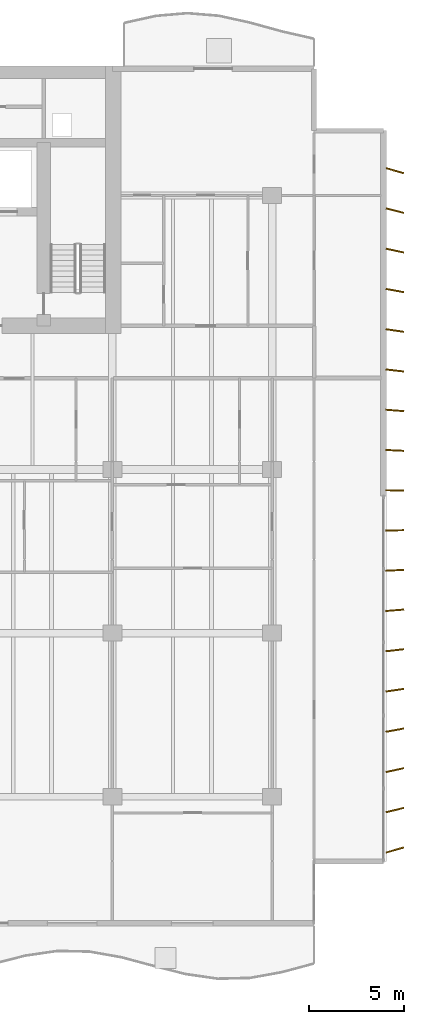
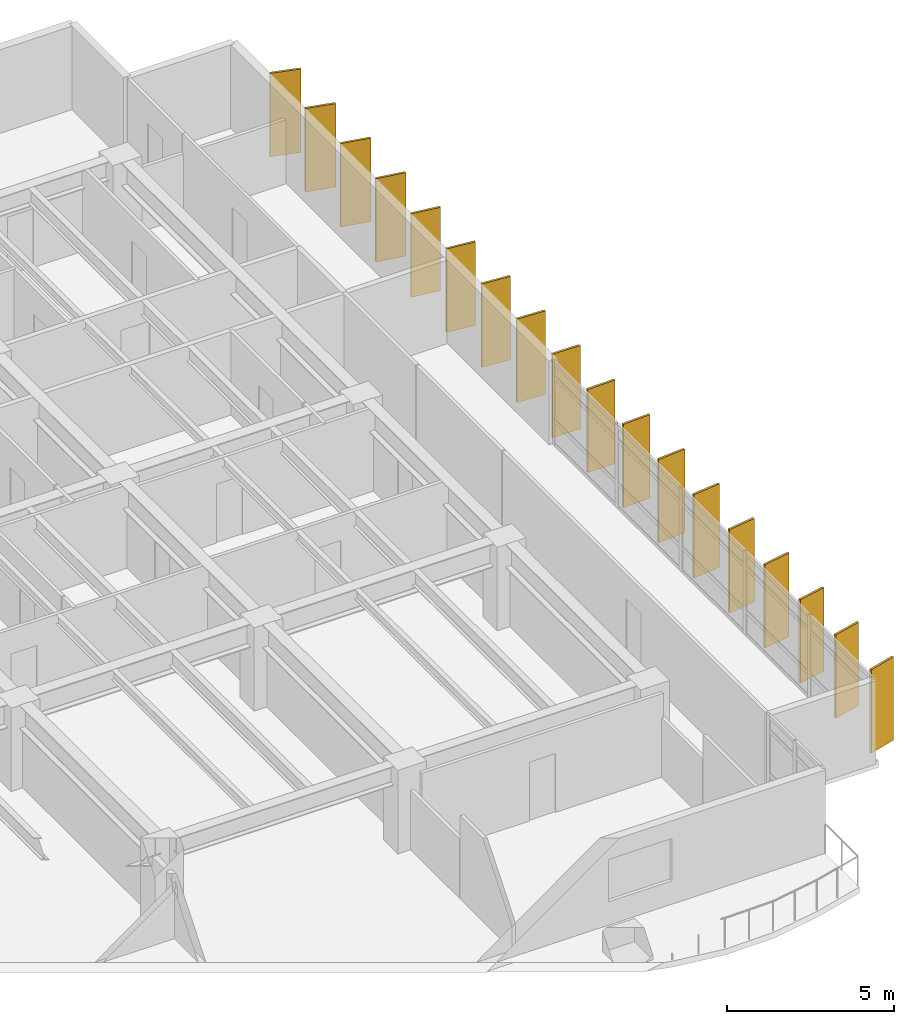
# One storey, part 16 of 16: 18 shading devices.
"""IFC4 building model written with IfcOpenShell, lengths in metres."""

import ifcopenshell
import ifcopenshell.guid

model = None  # the IFC model being written
_history = None  # IfcOwnerHistory: only IFC2X3 demands one
_inside = {}  # id of a spatial element -> (the spatial element, [elements in it])
_under = {}  # id of a project, library or spatial element -> (it, [spatial elements below it])
_declared = {}  # id of a project -> (the project, [libraries it declares])
_typed = {}  # id of a type object -> (the type object, [elements of that type])
_made_of = {}  # id of a material, layer set ... -> (it, [elements and type objects made of it])


def new_model(schema):
    """Start an empty IFC model of exactly this schema.

    Asked for "IFC4X3", IfcOpenShell would pick the latest addendum, in which some entities
    have other attributes; the version numbers below select the first issue.
    IFC2X3 requires an IfcOwnerHistory on every rooted entity: one is made here for all.
    """
    global model, _history
    if schema == "IFC4X3":
        model = ifcopenshell.file(schema_version=(4, 3, 0, 0))
    else:
        model = ifcopenshell.file(schema=schema)
    _inside.clear()
    _under.clear()
    _declared.clear()
    _typed.clear()
    _made_of.clear()
    _history = None
    if model.schema == "IFC2X3":
        org = make("IfcOrganization", Name="unknown")
        user = make(
            "IfcPersonAndOrganization",
            ThePerson=make("IfcPerson", FamilyName="unknown"),
            TheOrganization=org,
        )
        app = make(
            "IfcApplication",
            ApplicationDeveloper=org,
            Version="unknown",
            ApplicationFullName="unknown",
            ApplicationIdentifier="unknown",
        )
        _history = make(
            "IfcOwnerHistory",
            OwningUser=user,
            OwningApplication=app,
            ChangeAction="ADDED",
            CreationDate=0,
        )
    return model


def make(cls, **values):
    """One entity of the class cls with the attributes given. An attribute that is None is left unset."""
    return model.create_entity(
        cls, **{name: value for name, value in values.items() if value is not None}
    )


def rooted(cls, **values):
    """An entity with a GlobalId (a new one), such as an element, a storey or a relation."""
    return make(cls, GlobalId=ifcopenshell.guid.new(), OwnerHistory=_history, **values)


def si_unit(unit_type, name, prefix=None):
    """IfcSIUnit, for example si_unit("LENGTHUNIT", "METRE", prefix="MILLI")."""
    return make("IfcSIUnit", UnitType=unit_type, Prefix=prefix, Name=name)


def assignment(units):
    """IfcUnitAssignment: the units of a project."""
    return None if units is None else make("IfcUnitAssignment", Units=units)


def point(xyz):
    """IfcCartesianPoint."""
    return None if xyz is None else make("IfcCartesianPoint", Coordinates=xyz)


def direction(xyz):
    """IfcDirection."""
    return None if xyz is None else make("IfcDirection", DirectionRatios=xyz)


def frame(location, z_axis=None, x_axis=None):
    """IfcAxis2Placement3D, a coordinate frame: its origin and axes. An axis left out is left unset."""
    return make(
        "IfcAxis2Placement3D",
        Location=point(location),
        Axis=direction(z_axis),
        RefDirection=direction(x_axis),
    )


def frame_2d(location, x_axis=None):
    """IfcAxis2Placement2D, a coordinate frame in the plane: its origin and x axis."""
    return make(
        "IfcAxis2Placement2D", Location=point(location), RefDirection=direction(x_axis)
    )


def origin():
    """The frame at (0, 0, 0) with its axes left unset."""
    return frame((0.0, 0.0, 0.0))


def origin_2d():
    """The frame at (0, 0) in the plane with its x axis left unset."""
    return frame_2d((0.0, 0.0))


def place(relative_to, where):
    """IfcLocalPlacement: puts the frame where relative to a parent placement (None: the world)."""
    return make(
        "IfcLocalPlacement", PlacementRelTo=relative_to, RelativePlacement=where
    )


def context(
    kind, dimensions, precision=None, world=None, true_north=None, identifier=None
):
    """IfcGeometricRepresentationContext, for example the 3D "Model" context."""
    return make(
        "IfcGeometricRepresentationContext",
        ContextIdentifier=identifier,
        ContextType=kind,
        CoordinateSpaceDimension=dimensions,
        Precision=precision,
        WorldCoordinateSystem=world,
        TrueNorth=true_north,
    )


def subcontext(parent, identifier, kind, view, scale=None):
    """IfcGeometricRepresentationSubContext, for example "Body" below "Model"."""
    return make(
        "IfcGeometricRepresentationSubContext",
        ContextIdentifier=identifier,
        ContextType=kind,
        ParentContext=parent,
        TargetScale=scale,
        TargetView=view,
    )


def project(units=None, contexts=None):
    """IfcProject with its units and contexts."""
    return rooted(
        "IfcProject",
        Name="project",
        RepresentationContexts=contexts,
        UnitsInContext=assignment(units),
    )


def spatial(cls, under=None, at=None, **own):
    """A site, building, storey or space (cls), placed at a placement, below another one or the project."""
    s = rooted(cls, ObjectPlacement=at, **own)
    if under is not None:
        _under.setdefault(under.id(), (under, []))[1].append(s)
    return s


def profile(cls, at=None, kind="AREA", **sizes):
    """A parametric profile (cls). Its sizes go by their IFC names, for example OverallWidth=200.0."""
    return make(cls, ProfileType=kind, Position=at, **sizes)


def rectangle(**sizes):
    """IfcRectangleProfileDef."""
    return profile("IfcRectangleProfileDef", **sizes)


def extrude(swept, where, along, depth):
    """IfcExtrudedAreaSolid: the profile swept, set in the frame where, extruded along a direction by depth."""
    return make(
        "IfcExtrudedAreaSolid",
        SweptArea=swept,
        Position=where,
        ExtrudedDirection=direction(along),
        Depth=depth,
    )


def shape(context_of_items, identifier, shape_type, items):
    """IfcShapeRepresentation: the items that make up one representation, for example the "Body"."""
    return make(
        "IfcShapeRepresentation",
        ContextOfItems=context_of_items,
        RepresentationIdentifier=identifier,
        RepresentationType=shape_type,
        Items=items,
    )


def material(Name=None, Category=None):
    """IfcMaterial."""
    return make("IfcMaterial", Name=Name, Category=Category)


def material_profile(
    of_material, cross_section, Name=None, Category=None, Priority=None
):
    """IfcMaterialProfile: a cross section and its material."""
    return make(
        "IfcMaterialProfile",
        Name=Name,
        Material=of_material,
        Profile=cross_section,
        Priority=Priority,
        Category=Category,
    )


def profile_set(profiles, Name=None, composite=None):
    """IfcMaterialProfileSet."""
    return make(
        "IfcMaterialProfileSet",
        Name=Name,
        MaterialProfiles=profiles,
        CompositeProfile=composite,
    )


def made_of(thing, what):
    """Note that an element or type object is made of a material, layer set ...; save() writes the relation."""
    if what is not None:
        _made_of.setdefault(what.id(), (what, []))[1].append(thing)
    return thing


def type_object(cls, material=None, **own):
    """A type object (cls), such as IfcWallType, which elements share."""
    return made_of(rooted(cls, **own), material)


def element(
    cls,
    number,
    at=None,
    inside=None,
    cuts=None,
    type_object=None,
    material=None,
    context=None,
    identifier="Body",
    shape_type=None,
    held_by="IfcProductDefinitionShape",
    body=None,
    shapes=None,
    **own,
):
    """One element of the class cls, such as IfcWall. Its Tag is "e" and its number.

    at: its placement. inside: the storey or other place that contains it. cuts: it is an
    opening in that element (IfcRelVoidsElement). A single representation is given by context,
    identifier, shape_type and body (its items); several are given by shapes. held_by: the class
    of the entity that holds the representations. save() writes the other relations.
    """
    e = rooted(cls, Tag="e%d" % number, ObjectPlacement=at, **own)
    if body is not None:
        shapes = [shape(context, identifier, shape_type, body)]
    if shapes is not None:
        e.Representation = make(held_by, Representations=shapes)
    if inside is not None:
        _inside.setdefault(inside.id(), (inside, []))[1].append(e)
    if cuts is not None:
        rooted(
            "IfcRelVoidsElement", RelatingBuildingElement=cuts, RelatedOpeningElement=e
        )
    if type_object is not None:
        _typed.setdefault(type_object.id(), (type_object, []))[1].append(e)
    return made_of(e, material)


def aggregate(whole, parts):
    """IfcRelAggregates: a whole, such as a stair, and the parts it consists of."""
    return rooted("IfcRelAggregates", RelatingObject=whole, RelatedObjects=parts)


def save(model, path):
    """Write the relations noted so far, then the file.

    IfcRelAggregates (storeys below a building ...), IfcRelContainedInSpatialStructure (elements
    in a storey), IfcRelDefinesByType, IfcRelAssociatesMaterial and IfcRelDeclares: one each for
    every whole, place, type object, material and project.
    """
    for whole, parts in _under.values():
        aggregate(whole, parts)
    for where, things in _inside.values():
        rooted(
            "IfcRelContainedInSpatialStructure",
            RelatedElements=things,
            RelatingStructure=where,
        )
    for kind, things in _typed.values():
        rooted("IfcRelDefinesByType", RelatedObjects=things, RelatingType=kind)
    for what, things in _made_of.values():
        rooted("IfcRelAssociatesMaterial", RelatedObjects=things, RelatingMaterial=what)
    for by, libraries in _declared.values():
        rooted("IfcRelDeclares", RelatingContext=by, RelatedDefinitions=libraries)
    model.write(path)


model = new_model("IFC4")

# Units and contexts
model_context = context("Model", 3, precision=1e-05, world=origin(), true_north=direction((0.0, 1.0)))
body_context = subcontext(model_context, "Body", "Model", "MODEL_VIEW")
ifc_project = project(units=[si_unit("LENGTHUNIT", "METRE"), si_unit("AREAUNIT", "SQUARE_METRE"), si_unit("VOLUMEUNIT", "CUBIC_METRE"), si_unit("PLANEANGLEUNIT", "RADIAN"), si_unit("MASSUNIT", "GRAM", prefix="KILO")], contexts=[model_context])

# Site, building, storey
site_placement = place(None, origin())
site = spatial("IfcSite", under=ifc_project, at=site_placement, CompositionType="ELEMENT")
building_placement = place(site_placement, origin())
building = spatial("IfcBuilding", under=site, at=building_placement, Name="Caelmar Bay Residences", CompositionType="ELEMENT")
storey_placement = place(building_placement, frame((0.0, 0.0, 142.199951171875)))
storey = spatial("IfcBuildingStorey", under=building, at=storey_placement, Name="L39", CompositionType="ELEMENT", Elevation=142.199951171875)

# Shading devices
ifc_material = material(Name="Anodised architectural bronze aluminium 6063-T6", Category="aluminium")
ifc_material_profile = material_profile(ifc_material, rectangle(XDim=0.074951171875, YDim=0.949951171875, at=origin_2d()), Name="BRONZE-FIN-75X950")
ifc_profile_set = profile_set([ifc_material_profile], Name="Anodised architectural bronze aluminium 6063-T6")
shading_device_type = type_object("IfcShadingDeviceType", Name="SHD-FIN-950", PredefinedType="USERDEFINED", material=ifc_profile_set)
for number, where, z_axis, x_axis, name in (
    (1, (74.35009765625, 9.39990234375, 0.0), (0.0, 0.0, 1.0), (-0.275637355817, 0.961261695938, 0.0), "L39 East Bronze Solar Fin 1"),
    (2, (74.35009765625, 11.5, 0.0), (0.0, 0.0, 1.0), (-0.243953546137, 0.969786918517, 0.0), "L39 East Bronze Solar Fin 2"),
    (3, (74.35009765625, 13.60009765625, 0.0), (0.0, 0.0, 1.0), (-0.212007109922, 0.977268123568, 0.0), "L39 East Bronze Solar Fin 3"),
    (4, (74.35009765625, 15.699951171875, 0.0), (0.0, 0.0, 1.0), (-0.179660748593, 0.98372862895, 0.0), "L39 East Bronze Solar Fin 4"),
    (5, (74.35009765625, 17.800048828125, 0.0), (0.0, 0.0, 1.0), (-0.147291543397, 0.989093120613, 0.0), "L39 East Bronze Solar Fin 5"),
    (6, (74.35009765625, 19.89990234375, 0.0), (0.0, 0.0, 1.0), (-0.114763772489, 0.993392810787, 0.0), "L39 East Bronze Solar Fin 6"),
    (7, (74.35009765625, 22.0, 0.0), (0.0, 0.0, 1.0), (-0.08211245342, 0.996623070671, 0.0), "L39 East Bronze Solar Fin 7"),
    (8, (74.35009765625, 24.10009765625, 0.0), (0.0, 0.0, 1.0), (-0.049198415926, 0.998789024705, 0.0), "L39 East Bronze Solar Fin 8"),
    (9, (74.35009765625, 26.199951171875, 0.0), (0.0, 0.0, 1.0), (-0.016405359001, 0.999865423043, 0.0), "L39 East Bronze Solar Fin 9"),
    (10, (74.35009765625, 28.300048828125, 0.0), (0.0, 0.0, 1.0), (0.016405359001, 0.999865423043, 0.0), "L39 East Bronze Solar Fin 10"),
    (11, (74.35009765625, 30.39990234375, 0.0), (0.0, 0.0, 1.0), (0.049198415926, 0.998789024705, 0.0), "L39 East Bronze Solar Fin 11"),
    (12, (74.35009765625, 32.5, 0.0), (0.0, 0.0, 1.0), (0.08211245342, 0.996623070671, 0.0), "L39 East Bronze Solar Fin 12"),
    (13, (74.35009765625, 34.60009765625, 0.0), (0.0, 0.0, 1.0), (0.114763772489, 0.993392810787, 0.0), "L39 East Bronze Solar Fin 13"),
    (14, (74.35009765625, 36.699951171875, 0.0), (0.0, 0.0, 1.0), (0.147291543397, 0.989093120613, 0.0), "L39 East Bronze Solar Fin 14"),
    (15, (74.35009765625, 38.800048828125, 0.0), (0.0, 0.0, 1.0), (0.179660748593, 0.98372862895, 0.0), "L39 East Bronze Solar Fin 15"),
    (16, (74.35009765625, 40.89990234375, 0.0), (0.0, 0.0, 1.0), (0.212007109922, 0.977268123568, 0.0), "L39 East Bronze Solar Fin 16"),
    (17, (74.35009765625, 43.0, 0.0), (0.0, 0.0, 1.0), (0.243953546137, 0.969786918517, 0.0), "L39 East Bronze Solar Fin 17"),
    (18, (74.35009765625, 45.10009765625, 0.0), (0.0, 0.0, 1.0), (0.275637355817, 0.961261695938, 0.0), "L39 East Bronze Solar Fin 18"),
):
    element("IfcShadingDevice", number, at=place(storey_placement, frame(where, z_axis=z_axis, x_axis=x_axis)), inside=storey, type_object=shading_device_type, Name=name, ObjectType="FIN", PredefinedType="USERDEFINED", context=body_context, shape_type="SweptSolid", body=[
        extrude(rectangle(XDim=0.074951171875, YDim=0.949951171875, at=origin_2d()), origin(), (0.0, 0.0, 1.0), 3.050048828125),
    ])

save(model, "model.ifc")
